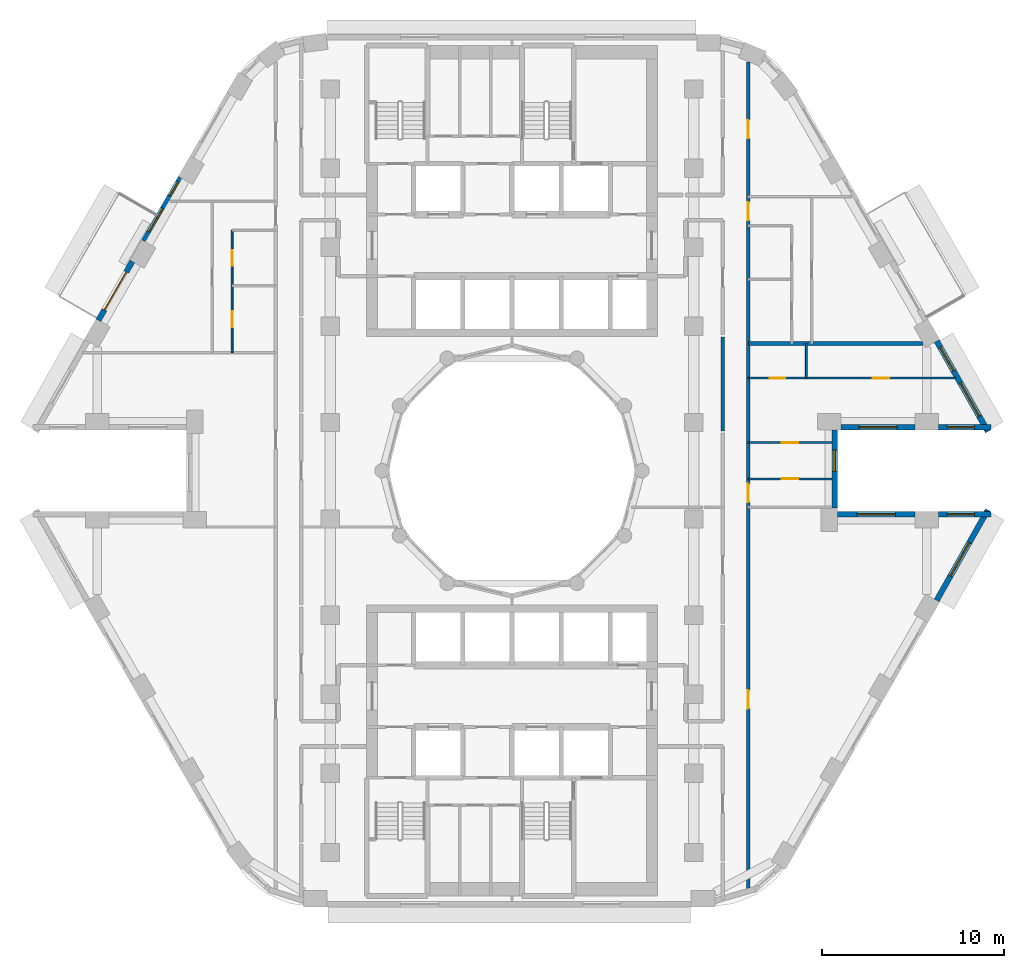
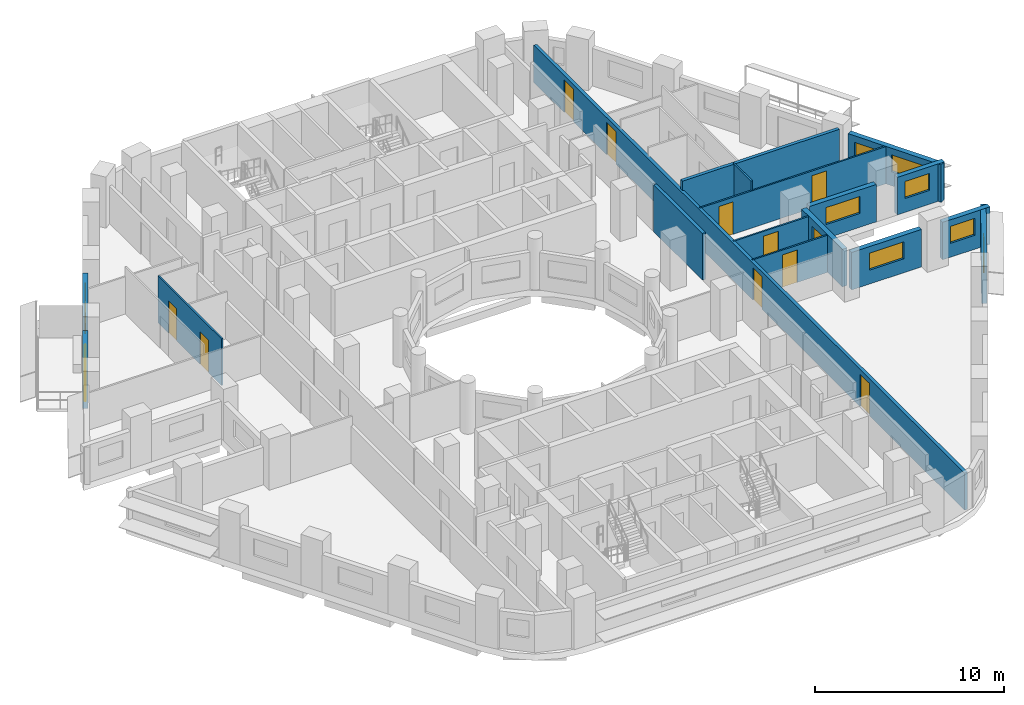
# One storey, part 6 of 14: 17 walls, 11 doors, 10 windows, 21 openings.
"""IFC4 building model written with IfcOpenShell, lengths in metres."""

import ifcopenshell
import ifcopenshell.guid

model = None  # the IFC model being written
_history = None  # IfcOwnerHistory: only IFC2X3 demands one
_inside = {}  # id of a spatial element -> (the spatial element, [elements in it])
_under = {}  # id of a project, library or spatial element -> (it, [spatial elements below it])
_declared = {}  # id of a project -> (the project, [libraries it declares])
_typed = {}  # id of a type object -> (the type object, [elements of that type])
_made_of = {}  # id of a material, layer set ... -> (it, [elements and type objects made of it])


def new_model(schema):
    """Start an empty IFC model of exactly this schema.

    Asked for "IFC4X3", IfcOpenShell would pick the latest addendum, in which some entities
    have other attributes; the version numbers below select the first issue.
    IFC2X3 requires an IfcOwnerHistory on every rooted entity: one is made here for all.
    """
    global model, _history
    if schema == "IFC4X3":
        model = ifcopenshell.file(schema_version=(4, 3, 0, 0))
    else:
        model = ifcopenshell.file(schema=schema)
    _inside.clear()
    _under.clear()
    _declared.clear()
    _typed.clear()
    _made_of.clear()
    _history = None
    if model.schema == "IFC2X3":
        org = make("IfcOrganization", Name="unknown")
        user = make(
            "IfcPersonAndOrganization",
            ThePerson=make("IfcPerson", FamilyName="unknown"),
            TheOrganization=org,
        )
        app = make(
            "IfcApplication",
            ApplicationDeveloper=org,
            Version="unknown",
            ApplicationFullName="unknown",
            ApplicationIdentifier="unknown",
        )
        _history = make(
            "IfcOwnerHistory",
            OwningUser=user,
            OwningApplication=app,
            ChangeAction="ADDED",
            CreationDate=0,
        )
    return model


def make(cls, **values):
    """One entity of the class cls with the attributes given. An attribute that is None is left unset."""
    return model.create_entity(
        cls, **{name: value for name, value in values.items() if value is not None}
    )


def rooted(cls, **values):
    """An entity with a GlobalId (a new one), such as an element, a storey or a relation."""
    return make(cls, GlobalId=ifcopenshell.guid.new(), OwnerHistory=_history, **values)


def si_unit(unit_type, name, prefix=None):
    """IfcSIUnit, for example si_unit("LENGTHUNIT", "METRE", prefix="MILLI")."""
    return make("IfcSIUnit", UnitType=unit_type, Prefix=prefix, Name=name)


def assignment(units):
    """IfcUnitAssignment: the units of a project."""
    return None if units is None else make("IfcUnitAssignment", Units=units)


def point(xyz):
    """IfcCartesianPoint."""
    return None if xyz is None else make("IfcCartesianPoint", Coordinates=xyz)


def direction(xyz):
    """IfcDirection."""
    return None if xyz is None else make("IfcDirection", DirectionRatios=xyz)


def frame(location, z_axis=None, x_axis=None):
    """IfcAxis2Placement3D, a coordinate frame: its origin and axes. An axis left out is left unset."""
    return make(
        "IfcAxis2Placement3D",
        Location=point(location),
        Axis=direction(z_axis),
        RefDirection=direction(x_axis),
    )


def frame_2d(location, x_axis=None):
    """IfcAxis2Placement2D, a coordinate frame in the plane: its origin and x axis."""
    return make(
        "IfcAxis2Placement2D", Location=point(location), RefDirection=direction(x_axis)
    )


def origin():
    """The frame at (0, 0, 0) with its axes left unset."""
    return frame((0.0, 0.0, 0.0))


def place(relative_to, where):
    """IfcLocalPlacement: puts the frame where relative to a parent placement (None: the world)."""
    return make(
        "IfcLocalPlacement", PlacementRelTo=relative_to, RelativePlacement=where
    )


def context(
    kind, dimensions, precision=None, world=None, true_north=None, identifier=None
):
    """IfcGeometricRepresentationContext, for example the 3D "Model" context."""
    return make(
        "IfcGeometricRepresentationContext",
        ContextIdentifier=identifier,
        ContextType=kind,
        CoordinateSpaceDimension=dimensions,
        Precision=precision,
        WorldCoordinateSystem=world,
        TrueNorth=true_north,
    )


def subcontext(parent, identifier, kind, view, scale=None):
    """IfcGeometricRepresentationSubContext, for example "Body" below "Model"."""
    return make(
        "IfcGeometricRepresentationSubContext",
        ContextIdentifier=identifier,
        ContextType=kind,
        ParentContext=parent,
        TargetScale=scale,
        TargetView=view,
    )


def project(units=None, contexts=None):
    """IfcProject with its units and contexts."""
    return rooted(
        "IfcProject",
        Name="project",
        RepresentationContexts=contexts,
        UnitsInContext=assignment(units),
    )


def spatial(cls, under=None, at=None, **own):
    """A site, building, storey or space (cls), placed at a placement, below another one or the project."""
    s = rooted(cls, ObjectPlacement=at, **own)
    if under is not None:
        _under.setdefault(under.id(), (under, []))[1].append(s)
    return s


def profile(cls, at=None, kind="AREA", **sizes):
    """A parametric profile (cls). Its sizes go by their IFC names, for example OverallWidth=200.0."""
    return make(cls, ProfileType=kind, Position=at, **sizes)


def rectangle(**sizes):
    """IfcRectangleProfileDef."""
    return profile("IfcRectangleProfileDef", **sizes)


def extrude(swept, where, along, depth):
    """IfcExtrudedAreaSolid: the profile swept, set in the frame where, extruded along a direction by depth."""
    return make(
        "IfcExtrudedAreaSolid",
        SweptArea=swept,
        Position=where,
        ExtrudedDirection=direction(along),
        Depth=depth,
    )


def shape(context_of_items, identifier, shape_type, items):
    """IfcShapeRepresentation: the items that make up one representation, for example the "Body"."""
    return make(
        "IfcShapeRepresentation",
        ContextOfItems=context_of_items,
        RepresentationIdentifier=identifier,
        RepresentationType=shape_type,
        Items=items,
    )


def material(Name=None, Category=None):
    """IfcMaterial."""
    return make("IfcMaterial", Name=Name, Category=Category)


def layer(
    of_material, thickness, ventilated=None, Name=None, Category=None, Priority=None
):
    """IfcMaterialLayer: one layer of a wall or slab, of a material (None: an air gap)."""
    return make(
        "IfcMaterialLayer",
        Material=of_material,
        LayerThickness=thickness,
        IsVentilated=ventilated,
        Name=Name,
        Category=Category,
        Priority=Priority,
    )


def layer_set(layers, Name=None):
    """IfcMaterialLayerSet."""
    return make("IfcMaterialLayerSet", MaterialLayers=layers, LayerSetName=Name)


def made_of(thing, what):
    """Note that an element or type object is made of a material, layer set ...; save() writes the relation."""
    if what is not None:
        _made_of.setdefault(what.id(), (what, []))[1].append(thing)
    return thing


def type_object(cls, material=None, **own):
    """A type object (cls), such as IfcWallType, which elements share."""
    return made_of(rooted(cls, **own), material)


def element(
    cls,
    number,
    at=None,
    inside=None,
    cuts=None,
    type_object=None,
    material=None,
    context=None,
    identifier="Body",
    shape_type=None,
    held_by="IfcProductDefinitionShape",
    body=None,
    shapes=None,
    **own,
):
    """One element of the class cls, such as IfcWall. Its Tag is "e" and its number.

    at: its placement. inside: the storey or other place that contains it. cuts: it is an
    opening in that element (IfcRelVoidsElement). A single representation is given by context,
    identifier, shape_type and body (its items); several are given by shapes. held_by: the class
    of the entity that holds the representations. save() writes the other relations.
    """
    e = rooted(cls, Tag="e%d" % number, ObjectPlacement=at, **own)
    if body is not None:
        shapes = [shape(context, identifier, shape_type, body)]
    if shapes is not None:
        e.Representation = make(held_by, Representations=shapes)
    if inside is not None:
        _inside.setdefault(inside.id(), (inside, []))[1].append(e)
    if cuts is not None:
        rooted(
            "IfcRelVoidsElement", RelatingBuildingElement=cuts, RelatedOpeningElement=e
        )
    if type_object is not None:
        _typed.setdefault(type_object.id(), (type_object, []))[1].append(e)
    return made_of(e, material)


def fill(opening, filler):
    """IfcRelFillsElement: the door or window that sits in an opening."""
    return rooted(
        "IfcRelFillsElement",
        RelatingOpeningElement=opening,
        RelatedBuildingElement=filler,
    )


def aggregate(whole, parts):
    """IfcRelAggregates: a whole, such as a stair, and the parts it consists of."""
    return rooted("IfcRelAggregates", RelatingObject=whole, RelatedObjects=parts)


def save(model, path):
    """Write the relations noted so far, then the file.

    IfcRelAggregates (storeys below a building ...), IfcRelContainedInSpatialStructure (elements
    in a storey), IfcRelDefinesByType, IfcRelAssociatesMaterial and IfcRelDeclares: one each for
    every whole, place, type object, material and project.
    """
    for whole, parts in _under.values():
        aggregate(whole, parts)
    for where, things in _inside.values():
        rooted(
            "IfcRelContainedInSpatialStructure",
            RelatedElements=things,
            RelatingStructure=where,
        )
    for kind, things in _typed.values():
        rooted("IfcRelDefinesByType", RelatedObjects=things, RelatingType=kind)
    for what, things in _made_of.values():
        rooted("IfcRelAssociatesMaterial", RelatedObjects=things, RelatingMaterial=what)
    for by, libraries in _declared.values():
        rooted("IfcRelDeclares", RelatingContext=by, RelatedDefinitions=libraries)
    model.write(path)


model = new_model("IFC4")

# Units and contexts
model_context = context("Model", 3, precision=1e-05, world=origin(), true_north=direction((0.0, 1.0)))
body_context = subcontext(model_context, "Body", "Model", "MODEL_VIEW")
ifc_project = project(units=[si_unit("LENGTHUNIT", "METRE"), si_unit("AREAUNIT", "SQUARE_METRE"), si_unit("VOLUMEUNIT", "CUBIC_METRE"), si_unit("PLANEANGLEUNIT", "RADIAN"), si_unit("MASSUNIT", "GRAM", prefix="KILO")], contexts=[model_context])

# Site, building, storey
site_placement = place(None, origin())
site = spatial("IfcSite", under=ifc_project, at=site_placement, CompositionType="ELEMENT")
building_placement = place(site_placement, origin())
building = spatial("IfcBuilding", under=site, at=building_placement, Name="Nakaniwa Court", CompositionType="ELEMENT")
storey_placement = place(building_placement, frame((0.0, 0.0, 127.199951171875)))
storey = spatial("IfcBuildingStorey", under=building, at=storey_placement, Name="L32", CompositionType="ELEMENT", Elevation=127.199951171875)

# Wall
ifc_material_1 = material(Name="Acoustic double stud partition")
ifc_layer_1 = layer(ifc_material_1, 0.199951171875)
ifc_layer_set_1 = layer_set([ifc_layer_1], Name="Acoustic double stud partition")
wall_type_1 = type_object("IfcWallType", Name="Acoustic double stud partition 200", PredefinedType="PARTITIONING", material=ifc_layer_set_1)
wall_1_placement = place(storey_placement, frame((91.60009765625, 82.187255859375, 0.0), z_axis=(0.0, 0.0, 1.0), x_axis=(0.0, 1.0, 0.0)))
element("IfcWall", 1, at=wall_1_placement, inside=storey, type_object=wall_type_1, Name="Partition PW-077", PredefinedType="PARTITIONING", context=body_context, shape_type="SweptSolid", body=[
    extrude(rectangle(XDim=5.185546875, YDim=0.199951171875, at=frame_2d((2.5927734375, 0.0))), origin(), (0.0, 0.0, 1.0), 3.025146484375),
])

# Wall, openings, doors
wall_2_placement = place(storey_placement, frame((93.0, 102.498046875, 0.0), z_axis=(0.0, 0.0, 1.0), x_axis=(0.0, -1.0, 0.0)))
wall_2 = element("IfcWall", 2, at=wall_2_placement, inside=storey, type_object=wall_type_1, Name="Partition PW-085", PredefinedType="PARTITIONING", context=body_context, shape_type="SweptSolid", body=[
    extrude(rectangle(XDim=45.664794921875, YDim=0.199951171875, at=frame_2d((22.83251953125, 0.0))), origin(), (0.0, 0.0, 1.0), 2.405029296875),
])
opening_1_placement = place(wall_2_placement, frame((34.5810546875, 0.0, 0.0)))
opening_1 = element("IfcOpeningElement", 3, at=opening_1_placement, cuts=wall_2, Name="Opening D-02-02", PredefinedType="OPENING", context=body_context, shape_type="SweptSolid", body=[
    extrude(rectangle(XDim=1.0, YDim=2.10009765625, at=frame_2d((0.5, 1.050048828125))), frame((0.0, 0.10986328125, 0.0), z_axis=(0.0, -1.0, 0.0), x_axis=(1.0, 0.0, 0.0)), (0.0, 0.0, 1.0), 0.219970703125),
])
opening_2_placement = place(wall_2_placement, frame((23.222900390625, 0.0, 0.0)))
opening_2 = element("IfcOpeningElement", 4, at=opening_2_placement, cuts=wall_2, Name="Opening D-01-01", PredefinedType="OPENING", context=body_context, shape_type="SweptSolid", body=[
    extrude(rectangle(XDim=1.0, YDim=2.10009765625, at=frame_2d((0.5, 1.050048828125))), frame((0.0, 0.10986328125, 0.0), z_axis=(0.0, -1.0, 0.0), x_axis=(1.0, 0.0, 0.0)), (0.0, 0.0, 1.0), 0.219970703125),
])
opening_3_placement = place(wall_2_placement, frame((7.715087890625, 0.0, 0.0)))
opening_3 = element("IfcOpeningElement", 5, at=opening_3_placement, cuts=wall_2, Name="Opening D-01-02", PredefinedType="OPENING", context=body_context, shape_type="SweptSolid", body=[
    extrude(rectangle(XDim=1.0, YDim=2.10009765625, at=frame_2d((0.5, 1.050048828125))), frame((0.0, 0.10986328125, 0.0), z_axis=(0.0, -1.0, 0.0), x_axis=(1.0, 0.0, 0.0)), (0.0, 0.0, 1.0), 0.219970703125),
])
opening_4_placement = place(wall_2_placement, frame((3.2099609375, 0.0, 0.0)))
opening_4 = element("IfcOpeningElement", 6, at=opening_4_placement, cuts=wall_2, Name="Opening D-02-11", PredefinedType="OPENING", context=body_context, shape_type="SweptSolid", body=[
    extrude(rectangle(XDim=1.0, YDim=2.10009765625, at=frame_2d((0.5, 1.050048828125))), frame((0.0, 0.10986328125, 0.0), z_axis=(0.0, -1.0, 0.0), x_axis=(1.0, 0.0, 0.0)), (0.0, 0.0, 1.0), 0.219970703125),
])
ifc_material_2 = material(Name="Solid core timber door set, black veneer", Category="wood")
door_type_1 = type_object("IfcDoorType", Name="Flat entrance door 1000", OperationType="NOTDEFINED", PredefinedType="DOOR", material=ifc_material_2)
door_1_placement = place(opening_2_placement, origin())
door_1 = element("IfcDoor", 7, at=door_1_placement, inside=storey, type_object=door_type_1, Name="Door D-01-01 L32-023", OperationType="SINGLE_SWING_RIGHT", OverallHeight=2.10009765625, OverallWidth=1.0, PredefinedType="DOOR", context=body_context, shape_type="SweptSolid", body=[
    extrude(rectangle(XDim=1.0, YDim=2.10009765625, at=frame_2d((0.5, 1.050048828125))), frame((0.0, 0.02490234375, 0.0), z_axis=(0.0, -1.0, 0.0), x_axis=(1.0, 0.0, 0.0)), (0.0, 0.0, 1.0), 0.050048828125),
])
fill(opening_2, door_1)
door_2_placement = place(opening_3_placement, origin())
door_2 = element("IfcDoor", 8, at=door_2_placement, inside=storey, type_object=door_type_1, Name="Door D-01-02 L32-029", OperationType="SINGLE_SWING_RIGHT", OverallHeight=2.10009765625, OverallWidth=1.0, PredefinedType="DOOR", context=body_context, shape_type="SweptSolid", body=[
    extrude(rectangle(XDim=1.0, YDim=2.10009765625, at=frame_2d((0.5, 1.050048828125))), frame((0.0, 0.02490234375, 0.0), z_axis=(0.0, -1.0, 0.0), x_axis=(1.0, 0.0, 0.0)), (0.0, 0.0, 1.0), 0.050048828125),
])
fill(opening_3, door_2)
door_type_2 = type_object("IfcDoorType", Name="Internal door 1000", OperationType="NOTDEFINED", PredefinedType="DOOR", material=ifc_material_2)
door_3_placement = place(opening_1_placement, origin())
door_3 = element("IfcDoor", 9, at=door_3_placement, inside=storey, type_object=door_type_2, Name="Door D-02-02 L32-022", OperationType="SINGLE_SWING_LEFT", OverallHeight=2.10009765625, OverallWidth=1.0, PredefinedType="DOOR", context=body_context, shape_type="SweptSolid", body=[
    extrude(rectangle(XDim=1.0, YDim=2.10009765625, at=frame_2d((0.5, 1.050048828125))), frame((0.0, 0.02490234375, 0.0), z_axis=(0.0, -1.0, 0.0), x_axis=(1.0, 0.0, 0.0)), (0.0, 0.0, 1.0), 0.050048828125),
])
fill(opening_1, door_3)
door_4_placement = place(opening_4_placement, origin())
door_4 = element("IfcDoor", 10, at=door_4_placement, inside=storey, type_object=door_type_2, Name="Door D-02-11 L32-044", OperationType="SINGLE_SWING_LEFT", OverallHeight=2.10009765625, OverallWidth=1.0, PredefinedType="DOOR", context=body_context, shape_type="SweptSolid", body=[
    extrude(rectangle(XDim=1.0, YDim=2.10009765625, at=frame_2d((0.5, 1.050048828125))), frame((0.0, 0.02490234375, 0.0), z_axis=(0.0, -1.0, 0.0), x_axis=(1.0, 0.0, 0.0)), (0.0, 0.0, 1.0), 0.050048828125),
])
fill(opening_4, door_4)

# Wall
wall_3_placement = place(storey_placement, frame((93.0009765625, 87.0, 0.0), z_axis=(0.0, 0.0, 1.0), x_axis=(1.0, 0.0, 0.0)))
element("IfcWall", 11, at=wall_3_placement, inside=storey, type_object=wall_type_1, Name="Partition PW-126", PredefinedType="PARTITIONING", context=body_context, shape_type="SweptSolid", body=[
    extrude(rectangle(XDim=9.608154296875, YDim=0.199951171875, at=frame_2d((4.80419921875, 0.0))), origin(), (0.0, 0.0, 1.0), 3.025146484375),
])

# Wall, opening, window
ifc_material_3 = material(Name="Charcoal ceramic cladding")
ifc_layer_2 = layer(ifc_material_3, 0.02, Name="Ceramic cladding")
ifc_material_4 = material(Name="Ventilated air cavity")
ifc_layer_3 = layer(ifc_material_4, 0.04, ventilated=True, Name="Ventilated cavity")
ifc_material_5 = material(Name="Mineral wool insulation")
ifc_layer_4 = layer(ifc_material_5, 0.1, Name="Insulation")
ifc_material_6 = material(Name="Cement bonded sheathing board")
ifc_layer_5 = layer(ifc_material_6, 0.012, Name="Sheathing")
ifc_material_7 = material(Name="Cold-formed galvanised stud frame with mineral wool infill")
ifc_layer_6 = layer(ifc_material_7, 0.1, Name="Stud frame")
ifc_material_8 = material(Name="Fire-rated gypsum plasterboard lining")
ifc_layer_7 = layer(ifc_material_8, 0.028, Name="Lining")
ifc_layer_set_2 = layer_set([ifc_layer_2, ifc_layer_3, ifc_layer_4, ifc_layer_5, ifc_layer_6, ifc_layer_7], Name="Charcoal ceramic faced external wall system")
wall_type_2 = type_object("IfcWallType", Name="Black ceramic faced external wall 300", PredefinedType="SOLIDWALL", material=ifc_layer_set_2)
wall_4_placement = place(storey_placement, frame((98.1044921875, 82.39990234375, 0.0), z_axis=(0.0, 0.0, 1.0), x_axis=(1.0, 0.0, 0.0)))
wall_4 = element("IfcWall", 12, at=wall_4_placement, inside=storey, type_object=wall_type_2, Name="L32 external wall 00", PredefinedType="SOLIDWALL", context=body_context, shape_type="SweptSolid", body=[
    extrude(rectangle(XDim=4.072509765625, YDim=0.300048828125, at=frame_2d((2.0361328125, 0.0))), origin(), (0.0, 0.0, 1.0), 2.425048828125),
])
opening_5_placement = place(wall_4_placement, frame((0.986083984375, 0.0, 0.89990234375)))
opening_5 = element("IfcOpeningElement", 13, at=opening_5_placement, cuts=wall_4, Name="Opening W7.01", PredefinedType="OPENING", context=body_context, shape_type="SweptSolid", body=[
    extrude(rectangle(XDim=2.10009765625, YDim=1.10009765625, at=frame_2d((1.050048828125, 0.550048828125))), frame((0.0, 0.159912109375, 0.0), z_axis=(0.0, -1.0, 0.0), x_axis=(1.0, 0.0, 0.0)), (0.0, 0.0, 1.0), 0.320068359375),
])
ifc_material_9 = material(Name="Black anodised aluminium frame with dark low-E laminated double glazing", Category="aluminium")
window_type_1 = type_object("IfcWindowType", Name="Dark glass window 2100x1100 sill 900", PartitioningType="SINGLE_PANEL", PredefinedType="WINDOW", material=ifc_material_9)
window_1_placement = place(opening_5_placement, origin())
window_1 = element("IfcWindow", 14, at=window_1_placement, inside=storey, type_object=window_type_1, Name="L32 living window 00-0", OverallHeight=1.10009765625, OverallWidth=2.10009765625, PartitioningType="SINGLE_PANEL", PredefinedType="WINDOW", context=body_context, shape_type="SweptSolid", body=[
    extrude(rectangle(XDim=2.10009765625, YDim=1.10009765625, at=frame_2d((1.050048828125, 0.550048828125))), frame((0.0, 0.030029296875, 0.0), z_axis=(0.0, -1.0, 0.0), x_axis=(1.0, 0.0, 0.0)), (0.0, 0.0, 1.0), 0.06005859375),
])
fill(opening_5, window_1)

wall_5_placement = place(storey_placement, frame((103.468994140625, 82.39990234375, 0.0), z_axis=(0.0, 0.0, 1.0), x_axis=(1.0, 0.0, 0.0)))
wall_5 = element("IfcWall", 15, at=wall_5_placement, inside=storey, type_object=wall_type_2, Name="L32 external wall 01", PredefinedType="SOLIDWALL", context=body_context, shape_type="SweptSolid", body=[
    extrude(rectangle(XDim=2.8876953125, YDim=0.300048828125, at=frame_2d((1.44384765625, 0.0))), origin(), (0.0, 0.0, 1.0), 2.425048828125),
])
opening_6_placement = place(wall_5_placement, frame((0.468994140625, 0.0, 0.89990234375)))
opening_6 = element("IfcOpeningElement", 16, at=opening_6_placement, cuts=wall_5, Name="Opening W5.02", PredefinedType="OPENING", context=body_context, shape_type="SweptSolid", body=[
    extrude(rectangle(XDim=1.5, YDim=1.10009765625, at=frame_2d((0.75, 0.550048828125))), frame((0.0, 0.159912109375, 0.0), z_axis=(0.0, -1.0, 0.0), x_axis=(1.0, 0.0, 0.0)), (0.0, 0.0, 1.0), 0.320068359375),
])
window_type_2 = type_object("IfcWindowType", Name="Dark glass window 1500x1100 sill 900", PartitioningType="SINGLE_PANEL", PredefinedType="WINDOW", material=ifc_material_9)
window_2_placement = place(opening_6_placement, origin())
window_2 = element("IfcWindow", 17, at=window_2_placement, inside=storey, type_object=window_type_2, Name="L32 living window 01-0", OverallHeight=1.10009765625, OverallWidth=1.5, PartitioningType="SINGLE_PANEL", PredefinedType="WINDOW", context=body_context, shape_type="SweptSolid", body=[
    extrude(rectangle(XDim=1.5, YDim=1.10009765625, at=frame_2d((0.75, 0.550048828125))), frame((0.0, 0.030029296875, 0.0), z_axis=(0.0, -1.0, 0.0), x_axis=(1.0, 0.0, 0.0)), (0.0, 0.0, 1.0), 0.06005859375),
])
fill(opening_6, window_2)

# Wall, openings, windows
wall_6_placement = place(storey_placement, frame((106.18603515625, 82.1533203125, 0.0), z_axis=(0.0, 0.0, 1.0), x_axis=(-0.492498306264, 0.87031340236, 0.0)))
wall_6 = element("IfcWall", 18, at=wall_6_placement, inside=storey, type_object=wall_type_2, Name="L32 external wall 02", PredefinedType="SOLIDWALL", context=body_context, shape_type="SweptSolid", body=[
    extrude(rectangle(XDim=5.7265625, YDim=0.300048828125, at=frame_2d((2.86328125, 0.0))), origin(), (0.0, 0.0, 1.0), 2.425048828125),
])
opening_7_placement = place(wall_6_placement, frame((0.966796875, 0.0, 0.89990234375)))
opening_7 = element("IfcOpeningElement", 19, at=opening_7_placement, cuts=wall_6, Name="Opening W7.03", PredefinedType="OPENING", context=body_context, shape_type="SweptSolid", body=[
    extrude(rectangle(XDim=2.10009765625, YDim=1.10009765625, at=frame_2d((1.050048828125, 0.550048828125))), frame((0.0, 0.159912109375, 0.0), z_axis=(0.0, -1.0, 0.0), x_axis=(1.0, 0.0, 0.0)), (0.0, 0.0, 1.0), 0.320068359375),
])
opening_8_placement = place(wall_6_placement, frame((3.823486328125, 0.0, 0.89990234375)))
opening_8 = element("IfcOpeningElement", 20, at=opening_8_placement, cuts=wall_6, Name="Opening W5.04", PredefinedType="OPENING", context=body_context, shape_type="SweptSolid", body=[
    extrude(rectangle(XDim=1.5, YDim=1.10009765625, at=frame_2d((0.75, 0.550048828125))), frame((0.0, 0.159912109375, 0.0), z_axis=(0.0, -1.0, 0.0), x_axis=(1.0, 0.0, 0.0)), (0.0, 0.0, 1.0), 0.320068359375),
])
window_3_placement = place(opening_8_placement, origin())
window_3 = element("IfcWindow", 21, at=window_3_placement, inside=storey, type_object=window_type_2, Name="L32 habitable room window 02-1", OverallHeight=1.10009765625, OverallWidth=1.5, PartitioningType="SINGLE_PANEL", PredefinedType="WINDOW", context=body_context, shape_type="SweptSolid", body=[
    extrude(rectangle(XDim=1.5, YDim=1.10009765625, at=frame_2d((0.75, 0.550048828125))), frame((0.0, 0.030029296875, 0.0), z_axis=(0.0, -1.0, 0.0), x_axis=(1.0, 0.0, 0.0)), (0.0, 0.0, 1.0), 0.06005859375),
])
fill(opening_8, window_3)
window_4_placement = place(opening_7_placement, origin())
window_4 = element("IfcWindow", 22, at=window_4_placement, inside=storey, type_object=window_type_1, Name="L32 living window 02-0", OverallHeight=1.10009765625, OverallWidth=2.10009765625, PartitioningType="SINGLE_PANEL", PredefinedType="WINDOW", context=body_context, shape_type="SweptSolid", body=[
    extrude(rectangle(XDim=2.10009765625, YDim=1.10009765625, at=frame_2d((1.050048828125, 0.550048828125))), frame((0.0, 0.030029296875, 0.0), z_axis=(0.0, -1.0, 0.0), x_axis=(1.0, 0.0, 0.0)), (0.0, 0.0, 1.0), 0.06005859375),
])
fill(opening_7, window_4)

wall_7_placement = place(storey_placement, frame((61.771728515625, 96.127685546875, 0.0), z_axis=(0.0, 0.0, 1.0), x_axis=(-0.500031546601, -0.86600718958, 0.0)))
wall_7 = element("IfcWall", 23, at=wall_7_placement, inside=storey, type_object=wall_type_2, Name="L32 external wall 12", PredefinedType="SOLIDWALL", context=body_context, shape_type="SweptSolid", body=[
    extrude(rectangle(XDim=4.033935546875, YDim=0.300048828125, at=frame_2d((2.01708984375, 0.0))), origin(), (0.0, 0.0, 1.0), 2.425048828125),
])
opening_9_placement = place(wall_7_placement, frame((0.27392578125, 0.0, 0.89990234375)))
opening_9 = element("IfcOpeningElement", 24, at=opening_9_placement, cuts=wall_7, Name="Opening W9.13", PredefinedType="OPENING", context=body_context, shape_type="SweptSolid", body=[
    extrude(rectangle(XDim=0.89990234375, YDim=1.10009765625, at=frame_2d((0.449951171875, 0.550048828125))), frame((0.0, 0.159912109375, 0.0), z_axis=(0.0, -1.0, 0.0), x_axis=(1.0, 0.0, 0.0)), (0.0, 0.0, 1.0), 0.320068359375),
])
opening_10_placement = place(wall_7_placement, frame((1.953369140625, 0.0, 0.89990234375)))
opening_10 = element("IfcOpeningElement", 25, at=opening_10_placement, cuts=wall_7, Name="Opening W5.14", PredefinedType="OPENING", context=body_context, shape_type="SweptSolid", body=[
    extrude(rectangle(XDim=1.5, YDim=1.10009765625, at=frame_2d((0.75, 0.550048828125))), frame((0.0, 0.159912109375, 0.0), z_axis=(0.0, -1.0, 0.0), x_axis=(1.0, 0.0, 0.0)), (0.0, 0.0, 1.0), 0.320068359375),
])
window_5_placement = place(opening_10_placement, origin())
window_5 = element("IfcWindow", 26, at=window_5_placement, inside=storey, type_object=window_type_2, Name="L32 living window 12-1", OverallHeight=1.10009765625, OverallWidth=1.5, PartitioningType="SINGLE_PANEL", PredefinedType="WINDOW", context=body_context, shape_type="SweptSolid", body=[
    extrude(rectangle(XDim=1.5, YDim=1.10009765625, at=frame_2d((0.75, 0.550048828125))), frame((0.0, 0.030029296875, 0.0), z_axis=(0.0, -1.0, 0.0), x_axis=(1.0, 0.0, 0.0)), (0.0, 0.0, 1.0), 0.06005859375),
])
fill(opening_10, window_5)
window_type_3 = type_object("IfcWindowType", Name="Dark glass window 900x1100 sill 900", PartitioningType="SINGLE_PANEL", PredefinedType="WINDOW", material=ifc_material_9)
window_6_placement = place(opening_9_placement, origin())
window_6 = element("IfcWindow", 27, at=window_6_placement, inside=storey, type_object=window_type_3, Name="L32 habitable room window 12-0", OverallHeight=1.10009765625, OverallWidth=0.89990234375, PartitioningType="SINGLE_PANEL", PredefinedType="WINDOW", context=body_context, shape_type="SweptSolid", body=[
    extrude(rectangle(XDim=0.89990234375, YDim=1.10009765625, at=frame_2d((0.449951171875, 0.550048828125))), frame((0.0, 0.030029296875, 0.0), z_axis=(0.0, -1.0, 0.0), x_axis=(1.0, 0.0, 0.0)), (0.0, 0.0, 1.0), 0.06005859375),
])
fill(opening_9, window_6)

# Wall, opening, door
wall_8_placement = place(storey_placement, frame((59.108642578125, 91.515380859375, 0.0), z_axis=(0.0, 0.0, 1.0), x_axis=(-0.499933594891, -0.866063739398, 0.0)))
wall_8 = element("IfcWall", 28, at=wall_8_placement, inside=storey, type_object=wall_type_2, Name="L32 external wall 13", PredefinedType="SOLIDWALL", context=body_context, shape_type="SweptSolid", body=[
    extrude(rectangle(XDim=3.73681640625, YDim=0.300048828125, at=frame_2d((1.868408203125, 0.0))), origin(), (0.0, 0.0, 1.0), 2.425048828125),
])
opening_11_placement = place(wall_8_placement, frame((0.66845703125, 0.0, 0.0)))
opening_11 = element("IfcOpeningElement", 29, at=opening_11_placement, cuts=wall_8, Name="Opening XD13.02", PredefinedType="OPENING", context=body_context, shape_type="SweptSolid", body=[
    extrude(rectangle(XDim=2.39990234375, YDim=2.0, at=frame_2d((1.199951171875, 1.0))), frame((0.0, 0.159912109375, 0.0), z_axis=(0.0, -1.0, 0.0), x_axis=(1.0, 0.0, 0.0)), (0.0, 0.0, 1.0), 0.320068359375),
])
ifc_material_10 = material(Name="Black powder-coated aluminium frame with dark laminated glass", Category="aluminium")
door_type_3 = type_object("IfcDoorType", Name="Balcony sliding door 2400x2000", OperationType="DOUBLE_DOOR_SLIDING", PredefinedType="DOOR", material=ifc_material_10)
door_5_placement = place(opening_11_placement, origin())
door_5 = element("IfcDoor", 30, at=door_5_placement, inside=storey, type_object=door_type_3, Name="L32 balcony sliding door 01", OperationType="DOUBLE_DOOR_SLIDING", OverallHeight=2.0, OverallWidth=2.39990234375, PredefinedType="DOOR", context=body_context, shape_type="SweptSolid", body=[
    extrude(rectangle(XDim=2.39990234375, YDim=2.0, at=frame_2d((1.199951171875, 1.0))), frame((0.0, 0.02490234375, 0.0), z_axis=(0.0, -1.0, 0.0), x_axis=(1.0, 0.0, 0.0)), (0.0, 0.0, 1.0), 0.050048828125),
])
fill(opening_11, door_5)

# Wall, opening, window
wall_9_placement = place(storey_placement, frame((103.36572265625, 72.86279296875, 0.0), z_axis=(0.0, 0.0, 1.0), x_axis=(0.492498306264, 0.87031340236, 0.0)))
wall_9 = element("IfcWall", 31, at=wall_9_placement, inside=storey, type_object=wall_type_2, Name="L32 external wall 32", PredefinedType="SOLIDWALL", context=body_context, shape_type="SweptSolid", body=[
    extrude(rectangle(XDim=5.7265625, YDim=0.300048828125, at=frame_2d((2.86328125, 0.0))), origin(), (0.0, 0.0, 1.0), 2.425048828125),
])
opening_12_placement = place(wall_9_placement, frame((1.550048828125, 0.0, 0.89990234375)))
opening_12 = element("IfcOpeningElement", 32, at=opening_12_placement, cuts=wall_9, Name="Opening W7.30", PredefinedType="OPENING", context=body_context, shape_type="SweptSolid", body=[
    extrude(rectangle(XDim=2.10009765625, YDim=1.10009765625, at=frame_2d((1.050048828125, 0.550048828125))), frame((0.0, 0.159912109375, 0.0), z_axis=(0.0, -1.0, 0.0), x_axis=(1.0, 0.0, 0.0)), (0.0, 0.0, 1.0), 0.320068359375),
])
window_7_placement = place(opening_12_placement, origin())
window_7 = element("IfcWindow", 33, at=window_7_placement, inside=storey, type_object=window_type_1, Name="L32 habitable room window 32-0", OverallHeight=1.10009765625, OverallWidth=2.10009765625, PartitioningType="SINGLE_PANEL", PredefinedType="WINDOW", context=body_context, shape_type="SweptSolid", body=[
    extrude(rectangle(XDim=2.10009765625, YDim=1.10009765625, at=frame_2d((1.050048828125, 0.550048828125))), frame((0.0, 0.030029296875, 0.0), z_axis=(0.0, -1.0, 0.0), x_axis=(1.0, 0.0, 0.0)), (0.0, 0.0, 1.0), 0.06005859375),
])
fill(opening_12, window_7)

wall_10_placement = place(storey_placement, frame((106.356689453125, 77.60009765625, 0.0), z_axis=(0.0, 0.0, 1.0), x_axis=(-1.0, 0.0, 0.0)))
wall_10 = element("IfcWall", 34, at=wall_10_placement, inside=storey, type_object=wall_type_2, Name="L32 external wall 33", PredefinedType="SOLIDWALL", context=body_context, shape_type="SweptSolid", body=[
    extrude(rectangle(XDim=2.8876953125, YDim=0.300048828125, at=frame_2d((1.44384765625, 0.0))), origin(), (0.0, 0.0, 1.0), 2.425048828125),
])
opening_13_placement = place(wall_10_placement, frame((0.9189453125, 0.0, 0.89990234375)))
opening_13 = element("IfcOpeningElement", 35, at=opening_13_placement, cuts=wall_10, Name="Opening W5.31", PredefinedType="OPENING", context=body_context, shape_type="SweptSolid", body=[
    extrude(rectangle(XDim=1.5, YDim=1.10009765625, at=frame_2d((0.75, 0.550048828125))), frame((0.0, 0.159912109375, 0.0), z_axis=(0.0, -1.0, 0.0), x_axis=(1.0, 0.0, 0.0)), (0.0, 0.0, 1.0), 0.320068359375),
])
window_8_placement = place(opening_13_placement, origin())
window_8 = element("IfcWindow", 36, at=window_8_placement, inside=storey, type_object=window_type_2, Name="L32 habitable room window 33-0", OverallHeight=1.10009765625, OverallWidth=1.5, PartitioningType="SINGLE_PANEL", PredefinedType="WINDOW", context=body_context, shape_type="SweptSolid", body=[
    extrude(rectangle(XDim=1.5, YDim=1.10009765625, at=frame_2d((0.75, 0.550048828125))), frame((0.0, 0.030029296875, 0.0), z_axis=(0.0, -1.0, 0.0), x_axis=(1.0, 0.0, 0.0)), (0.0, 0.0, 1.0), 0.06005859375),
])
fill(opening_13, window_8)

wall_11_placement = place(storey_placement, frame((102.177001953125, 77.60009765625, 0.0), z_axis=(0.0, 0.0, 1.0), x_axis=(-1.0, 0.0, 0.0)))
wall_11 = element("IfcWall", 37, at=wall_11_placement, inside=storey, type_object=wall_type_2, Name="L32 external wall 34", PredefinedType="SOLIDWALL", context=body_context, shape_type="SweptSolid", body=[
    extrude(rectangle(XDim=4.272705078125, YDim=0.300048828125, at=frame_2d((2.13623046875, 0.0))), origin(), (0.0, 0.0, 1.0), 2.425048828125),
])
opening_14_placement = place(wall_11_placement, frame((1.086181640625, 0.0, 0.89990234375)))
opening_14 = element("IfcOpeningElement", 38, at=opening_14_placement, cuts=wall_11, Name="Opening W7.32", PredefinedType="OPENING", context=body_context, shape_type="SweptSolid", body=[
    extrude(rectangle(XDim=2.10009765625, YDim=1.10009765625, at=frame_2d((1.050048828125, 0.550048828125))), frame((0.0, 0.159912109375, 0.0), z_axis=(0.0, -1.0, 0.0), x_axis=(1.0, 0.0, 0.0)), (0.0, 0.0, 1.0), 0.320068359375),
])
window_9_placement = place(opening_14_placement, origin())
window_9 = element("IfcWindow", 39, at=window_9_placement, inside=storey, type_object=window_type_1, Name="L32 habitable room window 34-0", OverallHeight=1.10009765625, OverallWidth=2.10009765625, PartitioningType="SINGLE_PANEL", PredefinedType="WINDOW", context=body_context, shape_type="SweptSolid", body=[
    extrude(rectangle(XDim=2.10009765625, YDim=1.10009765625, at=frame_2d((1.050048828125, 0.550048828125))), frame((0.0, 0.030029296875, 0.0), z_axis=(0.0, -1.0, 0.0), x_axis=(1.0, 0.0, 0.0)), (0.0, 0.0, 1.0), 0.06005859375),
])
fill(opening_14, window_9)

wall_12_placement = place(storey_placement, frame((97.75830078125, 77.946044921875, 0.0), z_axis=(0.0, 0.0, 1.0), x_axis=(0.0, 1.0, 0.0)))
wall_12 = element("IfcWall", 40, at=wall_12_placement, inside=storey, type_object=wall_type_2, Name="L32 external wall 35", PredefinedType="SOLIDWALL", context=body_context, shape_type="SweptSolid", body=[
    extrude(rectangle(XDim=4.307861328125, YDim=0.300048828125, at=frame_2d((2.15380859375, 0.0))), origin(), (0.0, 0.0, 1.0), 2.425048828125),
])
opening_15_placement = place(wall_12_placement, frame((2.00390625, 0.0, 0.89990234375)))
opening_15 = element("IfcOpeningElement", 41, at=opening_15_placement, cuts=wall_12, Name="Opening W6.33", PredefinedType="OPENING", context=body_context, shape_type="SweptSolid", body=[
    extrude(rectangle(XDim=1.199951171875, YDim=1.10009765625, at=frame_2d((0.60009765625, 0.550048828125))), frame((0.0, 0.159912109375, 0.0), z_axis=(0.0, -1.0, 0.0), x_axis=(1.0, 0.0, 0.0)), (0.0, 0.0, 1.0), 0.320068359375),
])
window_type_4 = type_object("IfcWindowType", Name="Dark glass window 1200x1100 sill 900", PartitioningType="SINGLE_PANEL", PredefinedType="WINDOW", material=ifc_material_9)
window_10_placement = place(opening_15_placement, origin())
window_10 = element("IfcWindow", 42, at=window_10_placement, inside=storey, type_object=window_type_4, Name="L32 habitable room window 35-1", OverallHeight=1.10009765625, OverallWidth=1.199951171875, PartitioningType="SINGLE_PANEL", PredefinedType="WINDOW", context=body_context, shape_type="SweptSolid", body=[
    extrude(rectangle(XDim=1.199951171875, YDim=1.10009765625, at=frame_2d((0.60009765625, 0.550048828125))), frame((0.0, 0.030029296875, 0.0), z_axis=(0.0, -1.0, 0.0), x_axis=(1.0, 0.0, 0.0)), (0.0, 0.0, 1.0), 0.06005859375),
])
fill(opening_15, window_10)

# Wall, opening, door
ifc_material_11 = material(Name="Single stud plasterboard partition")
ifc_layer_8 = layer(ifc_material_11, 0.10009765625)
ifc_layer_set_3 = layer_set([ifc_layer_8], Name="Single stud plasterboard partition")
wall_type_3 = type_object("IfcWallType", Name="Single stud plasterboard partition 100", PredefinedType="PARTITIONING", material=ifc_layer_set_3)
wall_13_placement = place(storey_placement, frame((93.0009765625, 79.550048828125, 0.0), z_axis=(0.0, 0.0, 1.0), x_axis=(1.0, 0.0, 0.0)))
wall_13 = element("IfcWall", 43, at=wall_13_placement, inside=storey, type_object=wall_type_3, Name="Partition PW-122", PredefinedType="PARTITIONING", context=body_context, shape_type="SweptSolid", body=[
    extrude(rectangle(XDim=4.607421875, YDim=0.10009765625, at=frame_2d((2.3037109375, 0.0))), origin(), (0.0, 0.0, 1.0), 2.405029296875),
])
opening_16_placement = place(wall_13_placement, frame((1.85400390625, 0.0, 0.0)))
opening_16 = element("IfcOpeningElement", 44, at=opening_16_placement, cuts=wall_13, Name="Opening D-33-01", PredefinedType="OPENING", context=body_context, shape_type="SweptSolid", body=[
    extrude(rectangle(XDim=0.89990234375, YDim=2.10009765625, at=frame_2d((0.449951171875, 1.050048828125))), frame((0.0, 0.06005859375, 0.0), z_axis=(0.0, -1.0, 0.0), x_axis=(1.0, 0.0, 0.0)), (0.0, 0.0, 1.0), 0.1201171875),
])
door_type_4 = type_object("IfcDoorType", Name="Internal door 900", OperationType="NOTDEFINED", PredefinedType="DOOR", material=ifc_material_2)
door_6_placement = place(opening_16_placement, origin())
door_6 = element("IfcDoor", 45, at=door_6_placement, inside=storey, type_object=door_type_4, Name="Door D-33-01 L32-024", OperationType="SINGLE_SWING_LEFT", OverallHeight=2.10009765625, OverallWidth=0.89990234375, PredefinedType="DOOR", context=body_context, shape_type="SweptSolid", body=[
    extrude(rectangle(XDim=0.89990234375, YDim=2.10009765625, at=frame_2d((0.449951171875, 1.050048828125))), frame((0.0, 0.02490234375, 0.0), z_axis=(0.0, -1.0, 0.0), x_axis=(1.0, 0.0, 0.0)), (0.0, 0.0, 1.0), 0.050048828125),
])
fill(opening_16, door_6)

wall_14_placement = place(storey_placement, frame((93.0009765625, 81.550048828125, 0.0), z_axis=(0.0, 0.0, 1.0), x_axis=(1.0, 0.0, 0.0)))
wall_14 = element("IfcWall", 46, at=wall_14_placement, inside=storey, type_object=wall_type_3, Name="Partition PW-123", PredefinedType="PARTITIONING", context=body_context, shape_type="SweptSolid", body=[
    extrude(rectangle(XDim=4.607421875, YDim=0.10009765625, at=frame_2d((2.3037109375, 0.0))), origin(), (0.0, 0.0, 1.0), 2.405029296875),
])
opening_17_placement = place(wall_14_placement, frame((1.85400390625, 0.0, 0.0)))
opening_17 = element("IfcOpeningElement", 47, at=opening_17_placement, cuts=wall_14, Name="Opening D-33-02", PredefinedType="OPENING", context=body_context, shape_type="SweptSolid", body=[
    extrude(rectangle(XDim=0.89990234375, YDim=2.10009765625, at=frame_2d((0.449951171875, 1.050048828125))), frame((0.0, 0.06005859375, 0.0), z_axis=(0.0, -1.0, 0.0), x_axis=(1.0, 0.0, 0.0)), (0.0, 0.0, 1.0), 0.1201171875),
])
door_7_placement = place(opening_17_placement, origin())
door_7 = element("IfcDoor", 48, at=door_7_placement, inside=storey, type_object=door_type_4, Name="Door D-33-02 L32-025", OperationType="SINGLE_SWING_RIGHT", OverallHeight=2.10009765625, OverallWidth=0.89990234375, PredefinedType="DOOR", context=body_context, shape_type="SweptSolid", body=[
    extrude(rectangle(XDim=0.89990234375, YDim=2.10009765625, at=frame_2d((0.449951171875, 1.050048828125))), frame((0.0, 0.02490234375, 0.0), z_axis=(0.0, -1.0, 0.0), x_axis=(1.0, 0.0, 0.0)), (0.0, 0.0, 1.0), 0.050048828125),
])
fill(opening_17, door_7)

# Wall, openings, doors
wall_15_placement = place(storey_placement, frame((93.0009765625, 85.10009765625, 0.0), z_axis=(0.0, 0.0, 1.0), x_axis=(1.0, 0.0, 0.0)))
wall_15 = element("IfcWall", 49, at=wall_15_placement, inside=storey, type_object=wall_type_3, Name="Partition PW-124", PredefinedType="PARTITIONING", context=body_context, shape_type="SweptSolid", body=[
    extrude(rectangle(XDim=11.4208984375, YDim=0.10009765625, at=frame_2d((5.71044921875, 0.0))), origin(), (0.0, 0.0, 1.0), 2.405029296875),
])
opening_18_placement = place(wall_15_placement, frame((1.175048828125, 0.0, 0.0)))
opening_18 = element("IfcOpeningElement", 50, at=opening_18_placement, cuts=wall_15, Name="Opening D-03-01", PredefinedType="OPENING", context=body_context, shape_type="SweptSolid", body=[
    extrude(rectangle(XDim=0.85009765625, YDim=2.10009765625, at=frame_2d((0.425048828125, 1.050048828125))), frame((0.0, 0.06005859375, 0.0), z_axis=(0.0, -1.0, 0.0), x_axis=(1.0, 0.0, 0.0)), (0.0, 0.0, 1.0), 0.1201171875),
])
opening_19_placement = place(wall_15_placement, frame((6.860107421875, 0.0, 0.0)))
opening_19 = element("IfcOpeningElement", 51, at=opening_19_placement, cuts=wall_15, Name="Opening D-33-03", PredefinedType="OPENING", context=body_context, shape_type="SweptSolid", body=[
    extrude(rectangle(XDim=0.89990234375, YDim=2.10009765625, at=frame_2d((0.449951171875, 1.050048828125))), frame((0.0, 0.06005859375, 0.0), z_axis=(0.0, -1.0, 0.0), x_axis=(1.0, 0.0, 0.0)), (0.0, 0.0, 1.0), 0.1201171875),
])
ifc_material_12 = material(Name="Moisture sealed timber door set", Category="wood")
door_type_5 = type_object("IfcDoorType", Name="Bathroom door 850", OperationType="NOTDEFINED", PredefinedType="DOOR", material=ifc_material_12)
door_8_placement = place(opening_18_placement, origin())
door_8 = element("IfcDoor", 52, at=door_8_placement, inside=storey, type_object=door_type_5, Name="Door D-03-01 L32-026", OperationType="SINGLE_SWING_LEFT", OverallHeight=2.10009765625, OverallWidth=0.85009765625, PredefinedType="DOOR", context=body_context, shape_type="SweptSolid", body=[
    extrude(rectangle(XDim=0.85009765625, YDim=2.10009765625, at=frame_2d((0.425048828125, 1.050048828125))), frame((0.0, 0.02490234375, 0.0), z_axis=(0.0, -1.0, 0.0), x_axis=(1.0, 0.0, 0.0)), (0.0, 0.0, 1.0), 0.050048828125),
])
fill(opening_18, door_8)
door_9_placement = place(opening_19_placement, origin())
door_9 = element("IfcDoor", 53, at=door_9_placement, inside=storey, type_object=door_type_4, Name="Door D-33-03 L32-027", OperationType="SINGLE_SWING_RIGHT", OverallHeight=2.10009765625, OverallWidth=0.89990234375, PredefinedType="DOOR", context=body_context, shape_type="SweptSolid", body=[
    extrude(rectangle(XDim=0.89990234375, YDim=2.10009765625, at=frame_2d((0.449951171875, 1.050048828125))), frame((0.0, 0.02490234375, 0.0), z_axis=(0.0, -1.0, 0.0), x_axis=(1.0, 0.0, 0.0)), (0.0, 0.0, 1.0), 0.050048828125),
])
fill(opening_19, door_9)

# Wall
wall_16_placement = place(storey_placement, frame((96.200927734375, 85.10009765625, 0.0), z_axis=(0.0, 0.0, 1.0), x_axis=(0.0, 1.0, 0.0)))
element("IfcWall", 54, at=wall_16_placement, inside=storey, type_object=wall_type_3, Name="Partition PW-125", PredefinedType="PARTITIONING", context=body_context, shape_type="SweptSolid", body=[
    extrude(rectangle(XDim=1.89990234375, YDim=0.10009765625, at=frame_2d((0.949951171875, 0.0))), origin(), (0.0, 0.0, 1.0), 3.025146484375),
])

# Wall, openings, doors
wall_17_placement = place(storey_placement, frame((64.59912109375, 93.233154296875, 0.0), z_axis=(0.0, 0.0, 1.0), x_axis=(0.0, -1.0, 0.0)))
wall_17 = element("IfcWall", 55, at=wall_17_placement, inside=storey, type_object=wall_type_3, Name="Partition PW-137", PredefinedType="PARTITIONING", context=body_context, shape_type="SweptSolid", body=[
    extrude(rectangle(XDim=6.733154296875, YDim=0.10009765625, at=frame_2d((3.36669921875, 0.0))), origin(), (0.0, 0.0, 1.0), 3.025146484375),
])
opening_20_placement = place(wall_17_placement, frame((4.447021484375, 0.0, 0.0)))
opening_20 = element("IfcOpeningElement", 56, at=opening_20_placement, cuts=wall_17, Name="Opening D-33-06", PredefinedType="OPENING", context=body_context, shape_type="SweptSolid", body=[
    extrude(rectangle(XDim=0.89990234375, YDim=2.10009765625, at=frame_2d((0.449951171875, 1.050048828125))), frame((0.0, 0.06005859375, 0.0), z_axis=(0.0, -1.0, 0.0), x_axis=(1.0, 0.0, 0.0)), (0.0, 0.0, 1.0), 0.1201171875),
])
opening_21_placement = place(wall_17_placement, frame((1.10498046875, 0.0, 0.0)))
opening_21 = element("IfcOpeningElement", 57, at=opening_21_placement, cuts=wall_17, Name="Opening D-03-03", PredefinedType="OPENING", context=body_context, shape_type="SweptSolid", body=[
    extrude(rectangle(XDim=0.85009765625, YDim=2.10009765625, at=frame_2d((0.425048828125, 1.050048828125))), frame((0.0, 0.06005859375, 0.0), z_axis=(0.0, -1.0, 0.0), x_axis=(1.0, 0.0, 0.0)), (0.0, 0.0, 1.0), 0.1201171875),
])
door_10_placement = place(opening_21_placement, origin())
door_10 = element("IfcDoor", 58, at=door_10_placement, inside=storey, type_object=door_type_5, Name="Door D-03-03 L32-040", OperationType="SINGLE_SWING_LEFT", OverallHeight=2.10009765625, OverallWidth=0.85009765625, PredefinedType="DOOR", context=body_context, shape_type="SweptSolid", body=[
    extrude(rectangle(XDim=0.85009765625, YDim=2.10009765625, at=frame_2d((0.425048828125, 1.050048828125))), frame((0.0, 0.02490234375, 0.0), z_axis=(0.0, -1.0, 0.0), x_axis=(1.0, 0.0, 0.0)), (0.0, 0.0, 1.0), 0.050048828125),
])
fill(opening_21, door_10)
door_11_placement = place(opening_20_placement, origin())
door_11 = element("IfcDoor", 59, at=door_11_placement, inside=storey, type_object=door_type_4, Name="Door D-33-06 L32-039", OperationType="SINGLE_SWING_RIGHT", OverallHeight=2.10009765625, OverallWidth=0.89990234375, PredefinedType="DOOR", context=body_context, shape_type="SweptSolid", body=[
    extrude(rectangle(XDim=0.89990234375, YDim=2.10009765625, at=frame_2d((0.449951171875, 1.050048828125))), frame((0.0, 0.02490234375, 0.0), z_axis=(0.0, -1.0, 0.0), x_axis=(1.0, 0.0, 0.0)), (0.0, 0.0, 1.0), 0.050048828125),
])
fill(opening_20, door_11)

save(model, "model.ifc")
